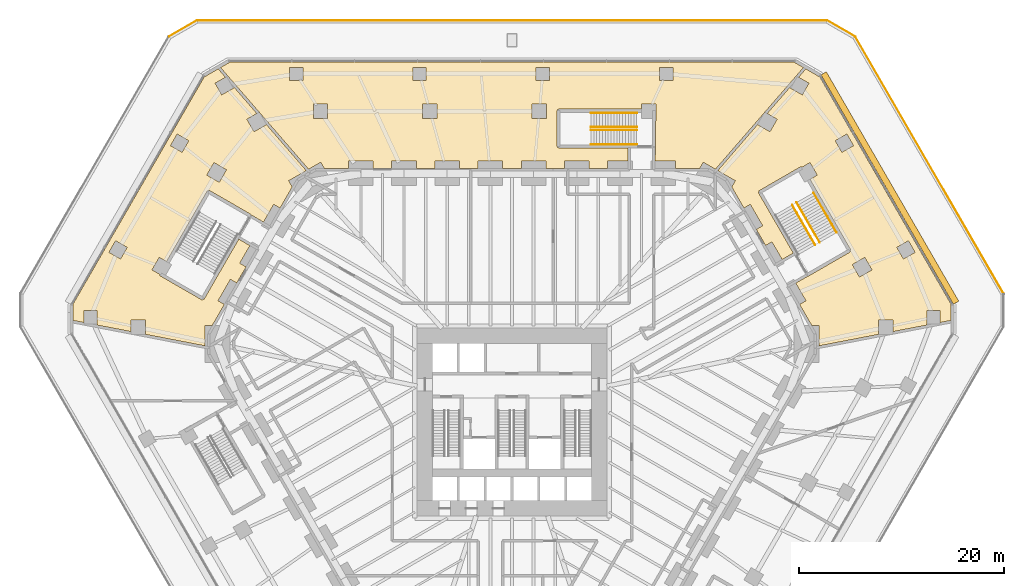
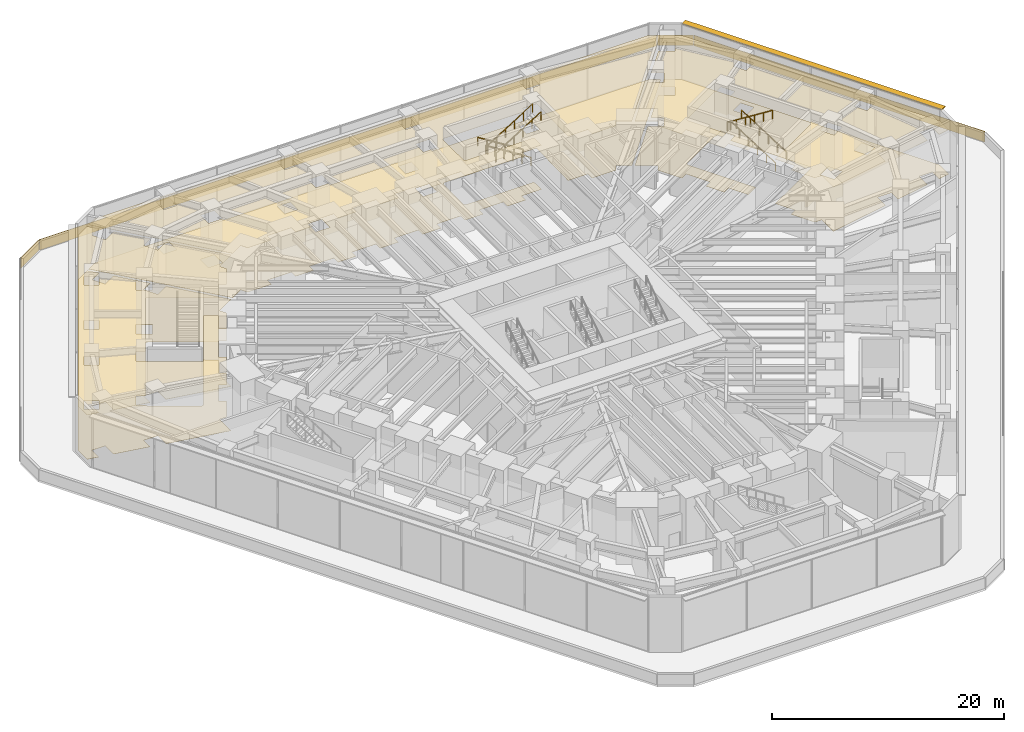
# One storey, part 25 of 25: 10 coverings, 7 railings, 1 shading device.
"""IFC4 building model written with IfcOpenShell, lengths in metres."""

from ifc_helpers import new_model, si_unit, direction, frame, frame_2d, origin, origin_2d, place, context, subcontext, project, spatial, polyline, rectangle, circle, outline, extrude, material, layer, layer_set, type_object, element, save


model = new_model("IFC4")

# Units and contexts
model_context = context("Model", 3, precision=1e-05, world=origin(), true_north=direction((0.0, 1.0)))
body_context = subcontext(model_context, "Body", "Model", "MODEL_VIEW")
ifc_project = project(units=[si_unit("LENGTHUNIT", "METRE"), si_unit("AREAUNIT", "SQUARE_METRE"), si_unit("VOLUMEUNIT", "CUBIC_METRE"), si_unit("PLANEANGLEUNIT", "RADIAN"), si_unit("MASSUNIT", "GRAM", prefix="KILO")], contexts=[model_context])

# Site, building, storey
site_placement = place(None, origin())
site = spatial("IfcSite", under=ifc_project, at=site_placement, CompositionType="ELEMENT")
building_placement = place(site_placement, origin())
building = spatial("IfcBuilding", under=site, at=building_placement, Name="Sandreach Pilgrim Tower", CompositionType="ELEMENT")
storey_placement = place(building_placement, frame((0.0, 0.0, 6.0)))
storey = spatial("IfcBuildingStorey", under=building, at=storey_placement, Name="L01", CompositionType="ELEMENT", Elevation=6.0)

# Coverings
ifc_material_1 = material(Name="Acoustic mineral fibre tile ceiling on a suspension grid", Category="mineral")
ifc_layer_1 = layer(ifc_material_1, 0.02001953125)
ifc_layer_set_1 = layer_set([ifc_layer_1], Name="Acoustic mineral tile ceiling")
covering_type_1 = type_object("IfcCoveringType", Name="Acoustic mineral tile ceiling", PredefinedType="CEILING", material=ifc_layer_set_1)
covering_1_placement = place(storey_placement, frame((0.0, 0.0, 4.64990234375)))
element("IfcCovering", 1, at=covering_1_placement, inside=storey, type_object=covering_type_1, Name="Ceiling 0101 Prayer hall", PredefinedType="CEILING", context=body_context, shape_type="SweptSolid", body=[
    extrude(outline(polyline([(27.4833984375, 33.548095703125), (28.416259765625, 33.009521484375), (24.64892578125, 28.658447265625), (24.62890625, 28.669921875), (24.569091796875, 28.56591796875), (19.8291015625, 23.091796875), (18.6474609375, 23.77392578125), (18.301513671875, 23.175048828125), (15.934814453125, 23.175048828125), (15.934814453125, 23.888671875), (13.955078125, 23.888671875), (14.016357421875, 28.05078125), (14.036865234375, 28.05078125), (14.036865234375, 29.450927734375), (12.636962890625, 29.450927734375), (12.636962890625, 28.94873046875), (4.52978515625, 28.94873046875), (4.52978515625, 28.8994140625), (4.4296875, 28.898681640625), (4.4296875, 28.798828125), (4.379638671875, 28.798828125), (4.379638671875, 25.298828125), (4.4296875, 25.298828125), (4.4296875, 25.19873046875), (4.52978515625, 25.197998046875), (4.52978515625, 25.148681640625), (11.304931640625, 25.148681640625), (11.304931640625, 23.888671875), (9.32470703125, 23.888671875), (9.32470703125, 23.175048828125), (7.514892578125, 23.175048828125), (7.514892578125, 23.888671875), (5.114990234375, 23.888671875), (5.114990234375, 23.175048828125), (3.304931640625, 23.175048828125), (3.304931640625, 23.888671875), (0.905029296875, 23.888671875), (0.905029296875, 23.175048828125), (-0.905029296875, 23.175048828125), (-0.905029296875, 23.888671875), (-3.304931640625, 23.888671875), (-3.304931640625, 23.175048828125), (-5.114990234375, 23.175048828125), (-5.114990234375, 23.888671875), (-7.514892578125, 23.888671875), (-7.514892578125, 23.175048828125), (-9.32470703125, 23.175048828125), (-9.32470703125, 23.888671875), (-11.724853515625, 23.888671875), (-11.724853515625, 23.175048828125), (-13.53466796875, 23.175048828125), (-13.53466796875, 23.888671875), (-15.934814453125, 23.888671875), (-15.934814453125, 23.175048828125), (-18.301513671875, 23.175048828125), (-18.6474609375, 23.77392578125), (-19.8291015625, 23.091796875), (-24.569091796875, 28.56591796875), (-24.62890625, 28.669921875), (-24.64892578125, 28.658447265625), (-28.416259765625, 33.009521484375), (-27.4833984375, 33.548095703125), (27.4833984375, 33.548095703125)]), holes=[polyline([(15.674072265625, 33.0380859375), (14.374267578125, 33.0380859375), (14.374267578125, 31.73828125), (15.674072265625, 31.73828125), (15.674072265625, 33.0380859375)]), polyline([(3.65478515625, 33.0380859375), (2.354736328125, 33.0380859375), (2.354736328125, 31.73828125), (3.65478515625, 31.73828125), (3.65478515625, 33.0380859375)]), polyline([(3.367431640625, 29.450927734375), (1.96728515625, 29.450927734375), (1.96728515625, 28.05078125), (3.367431640625, 28.05078125), (3.367431640625, 29.450927734375)]), polyline([(-7.30224609375, 29.450927734375), (-8.7021484375, 29.450927734375), (-8.7021484375, 28.05078125), (-7.30224609375, 28.05078125), (-7.30224609375, 29.450927734375)]), polyline([(-8.364501953125, 33.0380859375), (-9.66455078125, 33.0380859375), (-9.66455078125, 31.73828125), (-8.364501953125, 31.73828125), (-8.364501953125, 33.0380859375)]), polyline([(-19.37158203125, 29.450927734375), (-19.37158203125, 28.05078125), (-17.9716796875, 28.05078125), (-17.9716796875, 29.450927734375), (-19.37158203125, 29.450927734375)]), polyline([(-20.3837890625, 33.0380859375), (-21.683837890625, 33.0380859375), (-21.683837890625, 31.73828125), (-20.3837890625, 31.73828125), (-20.3837890625, 33.0380859375)])]), origin(), (0.0, 0.0, 1.0), 0.02001953125),
])
ifc_material_2 = material(Name="Moisture-resistant gypsum board suspended ceiling on a steel grid", Category="steel")
ifc_layer_2 = layer(ifc_material_2, 0.01611328125)
ifc_layer_set_2 = layer_set([ifc_layer_2], Name="Moisture-resistant gypsum board ceiling")
covering_type_2 = type_object("IfcCoveringType", Name="Moisture-resistant gypsum board ceiling", PredefinedType="CEILING", material=ifc_layer_set_2)
covering_2_placement = place(storey_placement, frame((0.0, 0.0, 4.64990234375)))
element("IfcCovering", 2, at=covering_2_placement, inside=storey, type_object=covering_type_2, Name="Ceiling 0102 Ablution room block east", PredefinedType="CEILING", context=body_context, shape_type="SweptSolid", body=[
    extrude(outline(polyline([(24.034912109375, 20.7919921875), (27.423583984375, 14.9228515625), (26.331298828125, 14.294677734375), (25.338134765625, 16.0146484375), (24.722412109375, 15.6591796875), (23.810546875, 17.23681640625), (24.427001953125, 17.5927734375), (23.22705078125, 19.67138671875), (22.609130859375, 19.314453125), (21.41748046875, 21.37158203125), (21.76513671875, 21.97412109375), (20.0498046875, 22.96435546875), (23.936279296875, 27.453125), (25.141357421875, 26.75732421875), (25.84130859375, 27.969970703125), (24.869384765625, 28.531005859375), (27.061279296875, 31.062744140625), (28.29052734375, 30.35302734375), (28.9404296875, 31.478759765625), (27.927978515625, 32.0634765625), (28.63671875, 32.88232421875), (30.011962890625, 32.08837890625), (42.79541015625, 9.94677734375), (42.79541015625, 8.35986328125), (41.731689453125, 8.155029296875), (41.731689453125, 9.32373046875), (40.431640625, 9.32373046875), (40.431640625, 7.904541015625), (37.143310546875, 7.271484375), (37.143310546875, 8.394287109375), (35.743408203125, 8.394287109375), (35.743408203125, 7.001953125), (29.91259765625, 5.879150390625), (29.91259765625, 7.862060546875), (29.2216796875, 7.862060546875), (28.032958984375, 9.923583984375), (28.6494140625, 10.279541015625), (27.656982421875, 11.99853515625), (28.880859375, 12.69873046875), (28.889892578125, 12.68310546875), (32.960205078125, 15.032958984375), (33.01513671875, 15.23779296875), (29.0419921875, 22.11962890625), (29.750244140625, 22.528564453125), (29.050048828125, 23.740966796875), (28.298583984375, 23.30712890625), (28.16015625, 23.346923828125), (24.08984375, 20.996826171875), (24.034912109375, 20.7919921875)]), holes=[polyline([(39.288330078125, 15.0009765625), (38.638427734375, 16.126953125), (37.512451171875, 15.476806640625), (38.16259765625, 14.35107421875), (39.288330078125, 15.0009765625)]), polyline([(35.085205078125, 13.28759765625), (34.38525390625, 14.500244140625), (33.1728515625, 13.800048828125), (33.872802734375, 12.587646484375), (35.085205078125, 13.28759765625)]), polyline([(32.635498046875, 26.524169921875), (31.509521484375, 25.874267578125), (32.15966796875, 24.748291015625), (33.285400390625, 25.3984375), (32.635498046875, 26.524169921875)])]), origin(), (0.0, 0.0, 1.0), 0.01611328125),
])
covering_3_placement = place(storey_placement, frame((0.0, 0.0, 4.64990234375)))
element("IfcCovering", 3, at=covering_3_placement, inside=storey, type_object=covering_type_2, Name="Ceiling 0106 Ablution room block west", PredefinedType="CEILING", context=body_context, shape_type="SweptSolid", body=[
    extrude(outline(polyline([(-30.011962890625, 32.08837890625), (-28.63671875, 32.88232421875), (-27.927978515625, 32.0634765625), (-28.9404296875, 31.478759765625), (-28.29052734375, 30.35302734375), (-27.061279296875, 31.062744140625), (-24.869384765625, 28.531005859375), (-25.84130859375, 27.969970703125), (-25.141357421875, 26.75732421875), (-23.936279296875, 27.453125), (-20.0498046875, 22.96435546875), (-21.76513671875, 21.97412109375), (-21.417236328125, 21.371337890625), (-22.608154296875, 19.31396484375), (-23.22705078125, 19.67138671875), (-24.2216796875, 17.94873046875), (-25.4453125, 18.6494140625), (-25.4287109375, 18.677978515625), (-29.4990234375, 21.02783203125), (-29.52392578125, 20.98486328125), (-29.610595703125, 21.03466796875), (-29.6611328125, 20.9482421875), (-29.703857421875, 20.972900390625), (-33.67724609375, 14.09130859375), (-34.38525390625, 14.500244140625), (-35.085205078125, 13.28759765625), (-34.333984375, 12.853759765625), (-34.299072265625, 12.714111328125), (-30.228759765625, 10.364013671875), (-30.204345703125, 10.406494140625), (-30.1171875, 10.357421875), (-30.06640625, 10.443603515625), (-30.02392578125, 10.4189453125), (-26.636962890625, 16.285400390625), (-25.54736328125, 15.652587890625), (-26.538330078125, 13.936279296875), (-25.921630859375, 13.580322265625), (-26.83349609375, 12.00244140625), (-27.449462890625, 12.358154296875), (-28.6494140625, 10.279541015625), (-28.0341796875, 9.92431640625), (-29.22216796875, 7.862060546875), (-29.91259765625, 7.862060546875), (-29.91259765625, 5.879150390625), (-35.743408203125, 7.001953125), (-35.743408203125, 8.394287109375), (-37.143310546875, 8.394287109375), (-37.143310546875, 7.271484375), (-40.431640625, 7.904541015625), (-40.431640625, 9.32373046875), (-41.731689453125, 9.32373046875), (-41.731689453125, 8.155029296875), (-42.79541015625, 8.35986328125), (-42.79541015625, 9.94677734375), (-30.011962890625, 32.08837890625)]), holes=[polyline([(-29.750244140625, 22.528564453125), (-28.53759765625, 21.828369140625), (-27.837646484375, 23.041015625), (-29.050048828125, 23.740966796875), (-29.750244140625, 22.528564453125)]), polyline([(-32.635498046875, 26.524169921875), (-33.285400390625, 25.3984375), (-32.15966796875, 24.748291015625), (-31.509521484375, 25.874267578125), (-32.635498046875, 26.524169921875)]), polyline([(-39.288330078125, 15.0009765625), (-38.16259765625, 14.35107421875), (-37.512451171875, 15.476806640625), (-38.638427734375, 16.126953125), (-39.288330078125, 15.0009765625)])]), origin(), (0.0, 0.0, 1.0), 0.01611328125),
])

# Shading device
ifc_material_3 = material(Name="Extruded aluminium sunshade blade, powder coated", Category="aluminium")
ifc_layer_3 = layer(ifc_material_3, 0.10009765625)
ifc_layer_set_3 = layer_set([ifc_layer_3], Name="Podium sunshade 600")
shading_device_type = type_object("IfcShadingDeviceType", Name="Podium sunshade 600", PredefinedType="AWNING", material=ifc_layer_set_3)
shading_device_placement = place(storey_placement, frame((36.836669921875, 21.267578125, 5.64990234375), z_axis=(0.0, 0.0, 1.0), x_axis=(0.500000000015, -0.866025403776, 0.0)))
element("IfcShadingDevice", 4, at=shading_device_placement, inside=storey, type_object=shading_device_type, Name="Sunshade L01 NE over NE", PredefinedType="AWNING", context=body_context, shape_type="SweptSolid", body=[
    extrude(rectangle(XDim=25.8203125, YDim=0.60009765625, at=origin_2d()), origin(), (0.0, 0.0, 1.0), 0.10009765625),
])

# Coverings
ifc_material_4 = material(Name="Porcelain tile on an adhesive bed", Category="ceramic")
ifc_layer_4 = layer(ifc_material_4, 0.011962890625)
ifc_layer_set_4 = layer_set([ifc_layer_4], Name="Porcelain tile")
covering_type_3 = type_object("IfcCoveringType", Name="Porcelain tile", PredefinedType="FLOORING", material=ifc_layer_set_4)
covering_4_placement = place(storey_placement, origin())
element("IfcCovering", 5, at=covering_4_placement, inside=storey, type_object=covering_type_3, Name="Floor finish 0102 Ablution room block east", PredefinedType="FLOORING", context=body_context, shape_type="SweptSolid", body=[
    extrude(outline(polyline([(24.034912109375, 20.7919921875), (27.423583984375, 14.9228515625), (26.331298828125, 14.294677734375), (25.338134765625, 16.0146484375), (24.722412109375, 15.6591796875), (23.810546875, 17.23681640625), (24.427001953125, 17.5927734375), (23.22705078125, 19.67138671875), (22.609130859375, 19.314453125), (21.41748046875, 21.37158203125), (21.76513671875, 21.97412109375), (20.0498046875, 22.96435546875), (23.936279296875, 27.453125), (25.141357421875, 26.75732421875), (25.84130859375, 27.969970703125), (24.869384765625, 28.531005859375), (27.061279296875, 31.062744140625), (28.29052734375, 30.35302734375), (28.9404296875, 31.478759765625), (27.927978515625, 32.0634765625), (28.63671875, 32.88232421875), (30.011962890625, 32.08837890625), (42.79541015625, 9.94677734375), (42.79541015625, 8.35986328125), (41.731689453125, 8.155029296875), (41.731689453125, 9.32373046875), (40.431640625, 9.32373046875), (40.431640625, 7.904541015625), (37.143310546875, 7.271484375), (37.143310546875, 8.394287109375), (35.743408203125, 8.394287109375), (35.743408203125, 7.001953125), (29.91259765625, 5.879150390625), (29.91259765625, 7.862060546875), (29.2216796875, 7.862060546875), (28.032958984375, 9.923583984375), (28.6494140625, 10.279541015625), (27.656982421875, 11.99853515625), (28.880859375, 12.69873046875), (28.889892578125, 12.68310546875), (32.960205078125, 15.032958984375), (33.01513671875, 15.23779296875), (29.0419921875, 22.11962890625), (29.750244140625, 22.528564453125), (29.050048828125, 23.740966796875), (28.298583984375, 23.30712890625), (28.16015625, 23.346923828125), (24.08984375, 20.996826171875), (24.034912109375, 20.7919921875)]), holes=[polyline([(38.638427734375, 16.126953125), (37.512451171875, 15.476806640625), (38.16259765625, 14.35107421875), (39.288330078125, 15.0009765625), (38.638427734375, 16.126953125)]), polyline([(34.38525390625, 14.500244140625), (33.1728515625, 13.800048828125), (33.872802734375, 12.587646484375), (35.085205078125, 13.28759765625), (34.38525390625, 14.500244140625)]), polyline([(33.285400390625, 25.3984375), (32.635498046875, 26.524169921875), (31.509521484375, 25.874267578125), (32.15966796875, 24.748291015625), (33.285400390625, 25.3984375)])]), origin(), (0.0, 0.0, 1.0), 0.011962890625),
])
covering_5_placement = place(storey_placement, origin())
element("IfcCovering", 6, at=covering_5_placement, inside=storey, type_object=covering_type_3, Name="Floor finish 0106 Ablution room block west", PredefinedType="FLOORING", context=body_context, shape_type="SweptSolid", body=[
    extrude(outline(polyline([(-30.011962890625, 32.08837890625), (-28.63671875, 32.88232421875), (-27.927978515625, 32.0634765625), (-28.9404296875, 31.478759765625), (-28.29052734375, 30.35302734375), (-27.061279296875, 31.062744140625), (-24.869384765625, 28.531005859375), (-25.84130859375, 27.969970703125), (-25.141357421875, 26.75732421875), (-23.936279296875, 27.453125), (-20.0498046875, 22.96435546875), (-21.76513671875, 21.97412109375), (-21.417236328125, 21.371337890625), (-22.608154296875, 19.31396484375), (-23.22705078125, 19.67138671875), (-24.2216796875, 17.94873046875), (-25.4453125, 18.6494140625), (-25.4287109375, 18.677978515625), (-29.4990234375, 21.02783203125), (-29.52392578125, 20.98486328125), (-29.610595703125, 21.03466796875), (-29.6611328125, 20.9482421875), (-29.703857421875, 20.972900390625), (-33.67724609375, 14.09130859375), (-34.38525390625, 14.500244140625), (-35.085205078125, 13.28759765625), (-34.333984375, 12.853759765625), (-34.299072265625, 12.714111328125), (-30.228759765625, 10.364013671875), (-30.204345703125, 10.406494140625), (-30.1171875, 10.357421875), (-30.06640625, 10.443603515625), (-30.02392578125, 10.4189453125), (-26.636962890625, 16.285400390625), (-25.54736328125, 15.652587890625), (-26.538330078125, 13.936279296875), (-25.921630859375, 13.580322265625), (-26.83349609375, 12.00244140625), (-27.449462890625, 12.358154296875), (-28.6494140625, 10.279541015625), (-28.0341796875, 9.92431640625), (-29.22216796875, 7.862060546875), (-29.91259765625, 7.862060546875), (-29.91259765625, 5.879150390625), (-35.743408203125, 7.001953125), (-35.743408203125, 8.394287109375), (-37.143310546875, 8.394287109375), (-37.143310546875, 7.271484375), (-40.431640625, 7.904541015625), (-40.431640625, 9.32373046875), (-41.731689453125, 9.32373046875), (-41.731689453125, 8.155029296875), (-42.79541015625, 8.35986328125), (-42.79541015625, 9.94677734375), (-30.011962890625, 32.08837890625)]), holes=[polyline([(-29.750244140625, 22.528564453125), (-28.53759765625, 21.828369140625), (-27.837646484375, 23.041015625), (-29.050048828125, 23.740966796875), (-29.750244140625, 22.528564453125)]), polyline([(-32.635498046875, 26.524169921875), (-33.285400390625, 25.3984375), (-32.15966796875, 24.748291015625), (-31.509521484375, 25.874267578125), (-32.635498046875, 26.524169921875)]), polyline([(-39.288330078125, 15.0009765625), (-38.16259765625, 14.35107421875), (-37.512451171875, 15.476806640625), (-38.638427734375, 16.126953125), (-39.288330078125, 15.0009765625)])]), origin(), (0.0, 0.0, 1.0), 0.011962890625),
])
ifc_material_5 = material(Name="Wool prayer carpet on underlay", Category="textile")
ifc_layer_5 = layer(ifc_material_5, 0.011962890625)
ifc_layer_set_5 = layer_set([ifc_layer_5], Name="Prayer carpet")
covering_type_4 = type_object("IfcCoveringType", Name="Prayer carpet", PredefinedType="FLOORING", material=ifc_layer_set_5)
covering_6_placement = place(storey_placement, origin())
element("IfcCovering", 7, at=covering_6_placement, inside=storey, type_object=covering_type_4, Name="Floor finish 0101 Prayer hall", PredefinedType="FLOORING", context=body_context, shape_type="SweptSolid", body=[
    extrude(outline(polyline([(27.4833984375, 33.548095703125), (28.416259765625, 33.009521484375), (24.64892578125, 28.658447265625), (24.62890625, 28.669921875), (24.569091796875, 28.56591796875), (19.8291015625, 23.091796875), (18.6474609375, 23.77392578125), (18.301513671875, 23.175048828125), (15.934814453125, 23.175048828125), (15.934814453125, 23.888671875), (13.955078125, 23.888671875), (14.016357421875, 28.05078125), (14.036865234375, 28.05078125), (14.036865234375, 29.450927734375), (12.636962890625, 29.450927734375), (12.636962890625, 28.94873046875), (4.52978515625, 28.94873046875), (4.52978515625, 28.8994140625), (4.4296875, 28.898681640625), (4.4296875, 28.798828125), (4.379638671875, 28.798828125), (4.379638671875, 25.298828125), (4.4296875, 25.298828125), (4.4296875, 25.19873046875), (4.52978515625, 25.197998046875), (4.52978515625, 25.148681640625), (11.304931640625, 25.148681640625), (11.304931640625, 23.888671875), (9.32470703125, 23.888671875), (9.32470703125, 23.175048828125), (7.514892578125, 23.175048828125), (7.514892578125, 23.888671875), (5.114990234375, 23.888671875), (5.114990234375, 23.175048828125), (3.304931640625, 23.175048828125), (3.304931640625, 23.888671875), (0.905029296875, 23.888671875), (0.905029296875, 23.175048828125), (-0.905029296875, 23.175048828125), (-0.905029296875, 23.888671875), (-3.304931640625, 23.888671875), (-3.304931640625, 23.175048828125), (-5.114990234375, 23.175048828125), (-5.114990234375, 23.888671875), (-7.514892578125, 23.888671875), (-7.514892578125, 23.175048828125), (-9.32470703125, 23.175048828125), (-9.32470703125, 23.888671875), (-11.724853515625, 23.888671875), (-11.724853515625, 23.175048828125), (-13.53466796875, 23.175048828125), (-13.53466796875, 23.888671875), (-15.934814453125, 23.888671875), (-15.934814453125, 23.175048828125), (-18.301513671875, 23.175048828125), (-18.6474609375, 23.77392578125), (-19.8291015625, 23.091796875), (-24.569091796875, 28.56591796875), (-24.62890625, 28.669921875), (-24.64892578125, 28.658447265625), (-28.416259765625, 33.009521484375), (-27.4833984375, 33.548095703125), (27.4833984375, 33.548095703125)]), holes=[polyline([(14.374267578125, 33.0380859375), (14.374267578125, 31.73828125), (15.674072265625, 31.73828125), (15.674072265625, 33.0380859375), (14.374267578125, 33.0380859375)]), polyline([(3.65478515625, 33.0380859375), (2.354736328125, 33.0380859375), (2.354736328125, 31.73828125), (3.65478515625, 31.73828125), (3.65478515625, 33.0380859375)]), polyline([(1.96728515625, 29.450927734375), (1.96728515625, 28.05078125), (3.367431640625, 28.05078125), (3.367431640625, 29.450927734375), (1.96728515625, 29.450927734375)]), polyline([(-8.7021484375, 29.450927734375), (-8.7021484375, 28.05078125), (-7.30224609375, 28.05078125), (-7.30224609375, 29.450927734375), (-8.7021484375, 29.450927734375)]), polyline([(-9.66455078125, 33.0380859375), (-9.66455078125, 31.73828125), (-8.364501953125, 31.73828125), (-8.364501953125, 33.0380859375), (-9.66455078125, 33.0380859375)]), polyline([(-19.37158203125, 29.450927734375), (-19.37158203125, 28.05078125), (-17.9716796875, 28.05078125), (-17.9716796875, 29.450927734375), (-19.37158203125, 29.450927734375)]), polyline([(-21.683837890625, 33.0380859375), (-21.683837890625, 31.73828125), (-20.3837890625, 31.73828125), (-20.3837890625, 33.0380859375), (-21.683837890625, 33.0380859375)])]), origin(), (0.0, 0.0, 1.0), 0.011962890625),
])

# Railings
ifc_material_6 = material(Name="Stainless steel tube", Category="steel")
railing_type = type_object("IfcRailingType", Name="Stair handrail", PredefinedType="HANDRAIL", material=ifc_material_6)
for number, where, name in (
    (8, (29.991455078125, 15.974853515625, 0.176513671875), "Handrail ST4 L01 flight 1"),
    (9, (31.636962890625, 16.9248046875, 0.176513671875), "Handrail ST4 L01 flight 1"),
):
    element("IfcRailing", number, at=place(storey_placement, frame(where)), inside=storey, type_object=railing_type, Name=name, PredefinedType="HANDRAIL", context=body_context, shape_type="SweptSolid", body=[
        extrude(circle(Radius=0.02392578125, at=origin_2d()), frame((0.0, 0.0, 0.8759765625), z_axis=(-0.42299277051, 0.732664971003, 0.533178353237), x_axis=(-0.866031314237, -0.499989762656, 0.0)), (0.0, 0.0, 1.0), 5.295654296875),
        extrude(circle(Radius=0.02099609375, at=origin_2d()), origin(), (0.0, 0.0, 1.0), 0.851806640625),
        extrude(circle(Radius=0.02099609375, at=origin_2d()), frame((-0.447998046875, 0.77587890625, 0.564697265625)), (0.0, 0.0, 1.0), 0.851806640625),
        extrude(circle(Radius=0.02099609375, at=origin_2d()), frame((-0.89599609375, 1.552001953125, 1.12939453125)), (0.0, 0.0, 1.0), 0.851806640625),
        extrude(circle(Radius=0.02099609375, at=origin_2d()), frame((-1.343994140625, 2.327880859375, 1.694091796875)), (0.0, 0.0, 1.0), 0.851806640625),
        extrude(circle(Radius=0.02099609375, at=origin_2d()), frame((-1.7919921875, 3.10400390625, 2.2587890625)), (0.0, 0.0, 1.0), 0.851806640625),
        extrude(circle(Radius=0.02099609375, at=origin_2d()), frame((-2.239990234375, 3.8798828125, 2.823486328125)), (0.0, 0.0, 1.0), 0.851806640625),
    ])
railing_placement = place(storey_placement, frame((27.318603515625, 19.604736328125, 3.176513671875)))
element("IfcRailing", 10, at=railing_placement, inside=storey, type_object=railing_type, Name="Handrail ST4 L01 flight 2", PredefinedType="HANDRAIL", context=body_context, shape_type="SweptSolid", body=[
    extrude(circle(Radius=0.02392578125, at=origin_2d()), frame((0.0, 0.0, 0.8759765625), z_axis=(0.42299277051, -0.732664971003, 0.533178353237), x_axis=(0.866031314237, 0.499989762656, 0.0)), (0.0, 0.0, 1.0), 5.295654296875),
    extrude(circle(Radius=0.02099609375, at=origin_2d()), origin(), (0.0, 0.0, 1.0), 0.851806640625),
    extrude(circle(Radius=0.02099609375, at=origin_2d()), frame((0.447998046875, -0.77587890625, 0.564697265625)), (0.0, 0.0, 1.0), 0.851806640625),
    extrude(circle(Radius=0.02099609375, at=origin_2d()), frame((0.89599609375, -1.552001953125, 1.12939453125)), (0.0, 0.0, 1.0), 0.851806640625),
    extrude(circle(Radius=0.02099609375, at=origin_2d()), frame((1.343994140625, -2.327880859375, 1.694091796875)), (0.0, 0.0, 1.0), 0.851806640625),
    extrude(circle(Radius=0.02099609375, at=origin_2d()), frame((1.7919921875, -3.10400390625, 2.2587890625)), (0.0, 0.0, 1.0), 0.851806640625),
    extrude(circle(Radius=0.02099609375, at=origin_2d()), frame((2.239990234375, -3.8798828125, 2.823486328125)), (0.0, 0.0, 1.0), 0.851806640625),
])
for number, where, name in (
    (11, (12.1796875, 27.19873046875, 0.176513671875), "Handrail ST7 L01 flight 1"),
    (12, (12.1796875, 28.5986328125, 0.176513671875), "Handrail ST7 L01 flight 1"),
):
    element("IfcRailing", number, at=place(storey_placement, frame(where)), inside=storey, type_object=railing_type, Name=name, PredefinedType="HANDRAIL", context=body_context, shape_type="SweptSolid", body=[
        extrude(circle(Radius=0.02392578125, at=origin_2d()), frame((0.0, 0.0, 0.8759765625), z_axis=(-0.845997938375, 0.0, 0.533186166611), x_axis=(0.0, -1.0, 0.0)), (0.0, 0.0, 1.0), 5.29541015625),
        extrude(circle(Radius=0.02099609375, at=origin_2d()), origin(), (0.0, 0.0, 1.0), 0.851806640625),
        extrude(circle(Radius=0.02099609375, at=origin_2d()), frame((-0.89599609375, 0.0, 0.564697265625)), (0.0, 0.0, 1.0), 0.851806640625),
        extrude(circle(Radius=0.02099609375, at=origin_2d()), frame((-1.7919921875, 0.0, 1.12939453125)), (0.0, 0.0, 1.0), 0.851806640625),
        extrude(circle(Radius=0.02099609375, at=origin_2d()), frame((-2.68798828125, 0.0, 1.694091796875)), (0.0, 0.0, 1.0), 0.851806640625),
        extrude(circle(Radius=0.02099609375, at=origin_2d()), frame((-3.583984375, 0.0, 2.2587890625)), (0.0, 0.0, 1.0), 0.851806640625),
        extrude(circle(Radius=0.02099609375, at=origin_2d()), frame((-4.47998046875, 0.0, 2.823486328125)), (0.0, 0.0, 1.0), 0.851806640625),
    ])
for number, where, name in (
    (13, (7.69970703125, 26.898681640625, 3.176513671875), "Handrail ST7 L01 flight 2"),
    (14, (7.69970703125, 25.498779296875, 3.176513671875), "Handrail ST7 L01 flight 2"),
):
    element("IfcRailing", number, at=place(storey_placement, frame(where)), inside=storey, type_object=railing_type, Name=name, PredefinedType="HANDRAIL", context=body_context, shape_type="SweptSolid", body=[
        extrude(circle(Radius=0.02392578125, at=origin_2d()), frame((0.0, 0.0, 0.8759765625), z_axis=(0.845997938375, 0.0, 0.533186166611), x_axis=(0.0, 1.0, 0.0)), (0.0, 0.0, 1.0), 5.29541015625),
        extrude(circle(Radius=0.02099609375, at=origin_2d()), origin(), (0.0, 0.0, 1.0), 0.851806640625),
        extrude(circle(Radius=0.02099609375, at=origin_2d()), frame((0.89599609375, 0.0, 0.564697265625)), (0.0, 0.0, 1.0), 0.851806640625),
        extrude(circle(Radius=0.02099609375, at=origin_2d()), frame((1.7919921875, 0.0, 1.12939453125)), (0.0, 0.0, 1.0), 0.851806640625),
        extrude(circle(Radius=0.02099609375, at=origin_2d()), frame((2.68798828125, 0.0, 1.694091796875)), (0.0, 0.0, 1.0), 0.851806640625),
        extrude(circle(Radius=0.02099609375, at=origin_2d()), frame((3.583984375, 0.0, 2.2587890625)), (0.0, 0.0, 1.0), 0.851806640625),
        extrude(circle(Radius=0.02099609375, at=origin_2d()), frame((4.47998046875, 0.0, 2.823486328125)), (0.0, 0.0, 1.0), 0.851806640625),
    ])

# Coverings
ifc_material_7 = material(Name="Terracotta rainscreen panels on aluminium rails", Category="masonry")
ifc_layer_6 = layer(ifc_material_7, 0.050048828125)
ifc_layer_set_6 = layer_set([ifc_layer_6], Name="Terracotta rainscreen cladding 50")
covering_type_5 = type_object("IfcCoveringType", Name="Terracotta rainscreen cladding 50", PredefinedType="CLADDING", material=ifc_layer_set_6)
covering_7_placement = place(storey_placement, frame((-30.740234375, 37.599365234375, 0.0), z_axis=(0.0, 0.0, 1.0), x_axis=(-0.866292085594, -0.499537808817, 0.0)))
element("IfcCovering", 15, at=covering_7_placement, inside=storey, type_object=covering_type_5, Name="Rainscreen cladding on setback parapet l01 1", PredefinedType="CLADDING", context=body_context, shape_type="SweptSolid", body=[
    extrude(rectangle(XDim=3.0908203125, YDim=0.050048828125, at=frame_2d((1.54541015625, 0.0))), origin(), (0.0, 0.0, 1.0), 1.10009765625),
])
covering_8_placement = place(storey_placement, frame((47.913818359375, 10.988037109375, 0.0), z_axis=(0.0, 0.0, 1.0), x_axis=(-0.500005626994, 0.866022155013, 0.0)))
element("IfcCovering", 16, at=covering_8_placement, inside=storey, type_object=covering_type_5, Name="Rainscreen cladding on setback parapet l01 10", PredefinedType="CLADDING", context=body_context, shape_type="SweptSolid", body=[
    extrude(rectangle(XDim=28.882080078125, YDim=0.050048828125, at=frame_2d((14.44091796875, 0.0))), origin(), (0.0, 0.0, 1.0), 1.10009765625),
])
covering_9_placement = place(storey_placement, frame((33.417724609375, 36.055419921875, 0.0), z_axis=(0.0, 0.0, 1.0), x_axis=(-0.866292085594, 0.499537808817, 0.0)))
element("IfcCovering", 17, at=covering_9_placement, inside=storey, type_object=covering_type_5, Name="Rainscreen cladding on setback parapet l01 11", PredefinedType="CLADDING", context=body_context, shape_type="SweptSolid", body=[
    extrude(rectangle(XDim=3.0908203125, YDim=0.050048828125, at=frame_2d((1.54541015625, 0.0))), origin(), (0.0, 0.0, 1.0), 1.10009765625),
])
covering_10_placement = place(storey_placement, frame((30.665283203125, 37.619384765625, 0.0), z_axis=(0.0, 0.0, 1.0), x_axis=(-1.0, 0.0, 0.0)))
element("IfcCovering", 18, at=covering_10_placement, inside=storey, type_object=covering_type_5, Name="Rainscreen cladding on setback parapet l01 12", PredefinedType="CLADDING", context=body_context, shape_type="SweptSolid", body=[
    extrude(rectangle(XDim=61.33056640625, YDim=0.050048828125, at=frame_2d((30.665283203125, 0.0))), origin(), (0.0, 0.0, 1.0), 1.10009765625),
])

save(model, "model.ifc")
